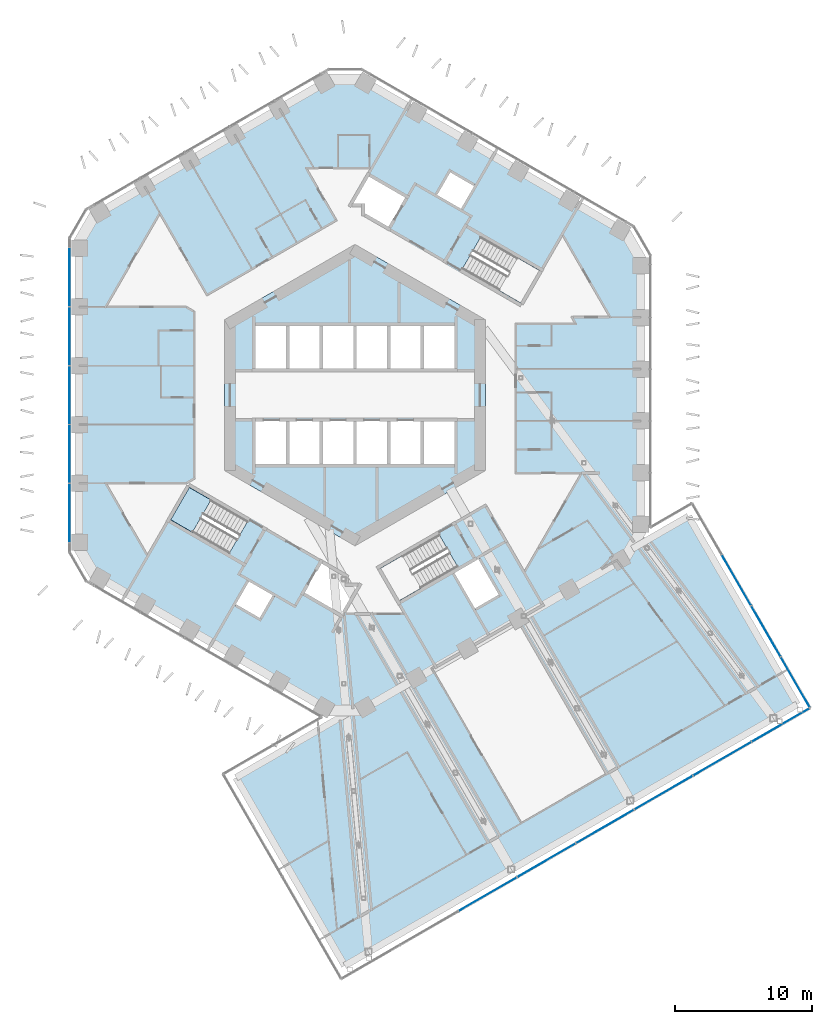
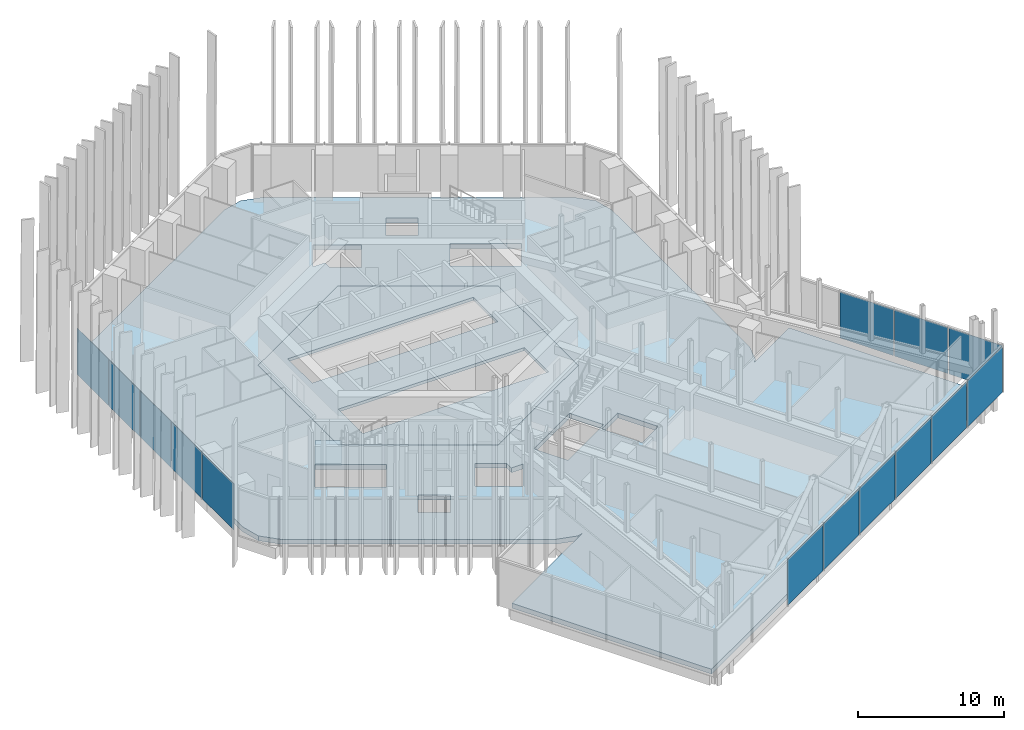
# One storey, part 15 of 29: 14 plates, 3 slabs, 4 elements without a shape of their own.
"""IFC4 building model written with IfcOpenShell, lengths in metres."""

from ifc_helpers import new_model, si_unit, direction, frame, origin, origin_2d, place, context, subcontext, project, spatial, polyline, rectangle, outline, extrude, material, layer, layer_set, type_object, element, aggregate, save


model = new_model("IFC4")

# Units and contexts
model_context = context("Model", 3, precision=1e-05, world=origin(), true_north=direction((0.0, 1.0)))
body_context = subcontext(model_context, "Body", "Model", "MODEL_VIEW")
ifc_project = project(units=[si_unit("LENGTHUNIT", "METRE"), si_unit("AREAUNIT", "SQUARE_METRE"), si_unit("VOLUMEUNIT", "CUBIC_METRE"), si_unit("PLANEANGLEUNIT", "RADIAN"), si_unit("MASSUNIT", "GRAM", prefix="KILO")], contexts=[model_context])

# Site, building, storey
site_placement = place(None, origin())
site = spatial("IfcSite", under=ifc_project, at=site_placement, CompositionType="ELEMENT")
building_placement = place(site_placement, origin())
building = spatial("IfcBuilding", under=site, at=building_placement, Name="Ayvan Gate Tower", CompositionType="ELEMENT")
storey_placement = place(building_placement, frame((0.0, 0.0, 66.300048828125)))
storey = spatial("IfcBuildingStorey", under=building, at=storey_placement, Name="L17", CompositionType="ELEMENT", Elevation=66.300048828125)

# Slabs
ifc_material_1 = material(Name="Concrete C40/50", Category="concrete")
ifc_layer_1 = layer(ifc_material_1, 0.39990234375)
ifc_layer_set_1 = layer_set([ifc_layer_1], Name="Concrete C40/50")
slab_type_1 = type_object("IfcSlabType", Name="Post-tensioned flat slab 400", PredefinedType="FLOOR", material=ifc_layer_set_1)
slab_1_placement = place(storey_placement, frame((0.0, 0.0, -0.400146484375)))
element("IfcSlab", 1, at=slab_1_placement, inside=storey, type_object=slab_type_1, Name="SL-L17", PredefinedType="FLOOR", context=body_context, shape_type="SweptSolid", body=[
    extrude(outline(polyline([(-20.072509765625, -10.67919921875), (-20.072509765625, 10.67919921875), (-19.67041015625, 12.17919921875), (-18.572509765625, 13.277099609375), (-2.212158203125, 22.722900390625), (-0.712158203125, 23.124755859375), (0.787841796875, 22.722900390625), (19.28466796875, 12.043701171875), (20.382568359375, 10.945556640625), (20.78466796875, 9.445556640625), (20.78466796875, -9.445556640625), (20.382568359375, -10.945556640625), (20.104248046875, -11.22412109375), (24.26220703125, -8.823486328125), (32.162353515625, -22.506591796875), (-0.746826171875, -41.506591796875), (-8.646728515625, -27.823486328125), (-0.331787109375, -23.022705078125), (-0.712158203125, -23.124755859375), (-2.212158203125, -22.722900390625), (-18.572509765625, -13.277099609375), (-19.67041015625, -12.17919921875), (-20.072509765625, -10.67919921875)]), holes=[polyline([(7.80615234375, 9.170654296875), (12.049560546875, 6.720458984375), (13.404541015625, 9.0673828125), (9.1611328125, 11.517578125), (7.80615234375, 9.170654296875)]), polyline([(8.113525390625, -14.65283203125), (8.690185546875, -15.65185546875), (10.595458984375, -14.5517578125), (8.995361328125, -11.780517578125), (8.735595703125, -11.9306640625), (7.090087890625, -12.880615234375), (8.113525390625, -14.65283203125)]), polyline([(-9.5, -5.48486328125), (0.0, -10.9697265625), (9.5, -5.48486328125), (9.5, 5.48486328125), (0.0, 10.9697265625), (-9.5, 5.48486328125), (-9.5, -5.48486328125)]), polyline([(5.8447265625, 14.5234375), (7.75, 13.42333984375), (8.800048828125, 15.241943359375), (6.894775390625, 16.342041015625), (5.8447265625, 14.5234375)]), polyline([(6.117431640625, -10.1455078125), (1.873779296875, -12.595458984375), (3.228759765625, -14.9423828125), (7.472412109375, -12.492431640625), (6.117431640625, -10.1455078125)]), polyline([(0.964599609375, 16.07080078125), (-0.340576171875, 13.81005859375), (0.60009765625, 13.81005859375), (0.60009765625, 13.16357421875), (2.472412109375, 12.08251953125), (3.822509765625, 14.420654296875), (0.964599609375, 16.07080078125)]), polyline([(-0.60009765625, -13.16357421875), (-2.472412109375, -12.08251953125), (-3.822509765625, -14.420654296875), (-0.964599609375, -16.07080078125), (-0.88037109375, -15.9248046875), (0.340576171875, -13.81005859375), (-0.60009765625, -13.81005859375), (-0.60009765625, -13.16357421875)]), polyline([(-8.800048828125, -15.241943359375), (-6.894775390625, -16.342041015625), (-5.8447265625, -14.5234375), (-7.75, -13.42333984375), (-8.800048828125, -15.241943359375)]), polyline([(-13.404541015625, -9.0673828125), (-9.1611328125, -11.517578125), (-7.80615234375, -9.170654296875), (-12.049560546875, -6.720458984375), (-13.404541015625, -9.0673828125)])]), origin(), (0.0, 0.0, 1.0), 0.400146484375),
])
ifc_layer_2 = layer(ifc_material_1, 0.25)
ifc_layer_set_2 = layer_set([ifc_layer_2], Name="Concrete C40/50")
slab_type_2 = type_object("IfcSlabType", Name="SL-CORE-250", PredefinedType="FLOOR", material=ifc_layer_set_2)
slab_2_placement = place(storey_placement, frame((0.0, 0.0, -0.25)))
element("IfcSlab", 2, at=slab_2_placement, inside=storey, type_object=slab_type_2, Name="CS-L17", PredefinedType="FLOOR", context=body_context, shape_type="SweptSolid", body=[
    extrude(outline(polyline([(9.5, -5.48486328125), (0.0, -10.9697265625), (-9.5, -5.48486328125), (-9.5, 5.48486328125), (0.0, 10.9697265625), (9.5, 5.48486328125), (9.5, -5.48486328125)]), holes=[polyline([(-7.35009765625, -1.800048828125), (-7.35009765625, -5.14990234375), (7.35009765625, -5.14990234375), (7.35009765625, -1.800048828125), (-7.35009765625, -1.800048828125)]), polyline([(-7.35009765625, 5.14990234375), (-7.35009765625, 1.800048828125), (7.35009765625, 1.800048828125), (7.35009765625, 5.14990234375), (-7.35009765625, 5.14990234375)])]), origin(), (0.0, 0.0, 1.0), 0.25),
])

# Stair, slab
stair_type = type_object("IfcStairType", Name="ST-EXIT", PredefinedType="HALF_TURN_STAIR", material=ifc_material_1)
stair_placement = place(storey_placement, origin())
stair = element("IfcStair", 3, at=stair_placement, inside=storey, type_object=stair_type, Name="L17 Exit Stair S2", PredefinedType="HALF_TURN_STAIR")
ifc_layer_3 = layer(ifc_material_1, 0.199951171875)
ifc_layer_set_3 = layer_set([ifc_layer_3], Name="Concrete C40/50")
slab_type_3 = type_object("IfcSlabType", Name="SL-LANDING-200", PredefinedType="LANDING", material=ifc_layer_set_3)
slab_3_placement = place(storey_placement, frame((0.0, 0.0, 1.800048828125)))
slab_3 = element("IfcSlab", 4, at=slab_3_placement, type_object=slab_type_3, Name="STS2 landing 1", PredefinedType="LANDING", context=body_context, shape_type="SweptSolid", body=[
    extrude(outline(polyline([(-10.473388671875, -7.630615234375), (-12.049560546875, -6.720458984375), (-13.404541015625, -9.0673828125), (-11.828369140625, -9.9775390625), (-10.473388671875, -7.630615234375)])), origin(), (0.0, 0.0, 1.0), 0.199951171875),
])
aggregate(stair, [slab_3])

# Curtain wall, plates
ifc_material_2 = material(Name="Bronze anodised aluminium", Category="aluminium")
ifc_layer_4 = layer(ifc_material_2, 0.199951171875)
ifc_layer_set_4 = layer_set([ifc_layer_4], Name="Bronze anodised aluminium")
curtain_wall_type_1 = type_object("IfcCurtainWallType", Name="Stick curtain wall CW-1", PredefinedType="NOTDEFINED", material=ifc_layer_set_4)
curtain_wall_1_placement = place(storey_placement, origin())
curtain_wall_1 = element("IfcCurtainWall", 5, at=curtain_wall_1_placement, inside=storey, type_object=curtain_wall_type_1, Name="Stick curtain wall CW-1 L17", PredefinedType="NOTDEFINED")
ifc_material_3 = material(Name="Clear low-iron laminated glass", Category="glass")
ifc_layer_5 = layer(ifc_material_3, 0.028076171875)
ifc_layer_set_5 = layer_set([ifc_layer_5], Name="Clear low-iron laminated glass")
plate_type_1 = type_object("IfcPlateType", Name="Stick curtain wall CW-1 glass panel", PredefinedType="CURTAIN_PANEL", material=ifc_layer_set_5)
plate_1_placement = place(storey_placement, frame((-20.7724609375, 8.59521484375, 0.0), z_axis=(0.0, 0.0, 1.0), x_axis=(0.0, -1.0, 0.0)))
plate_1 = element("IfcPlate", 6, at=plate_1_placement, type_object=plate_type_1, Name="CW-1 glass panel 1", PredefinedType="CURTAIN_PANEL", context=body_context, shape_type="SweptSolid", body=[
    extrude(rectangle(XDim=4.2919921875, YDim=0.028076171875, at=origin_2d()), origin(), (0.0, 0.0, 1.0), 3.8798828125),
])
plate_2_placement = place(storey_placement, frame((-20.7724609375, 4.27978515625, 0.0), z_axis=(0.0, 0.0, 1.0), x_axis=(0.0, -1.0, 0.0)))
plate_2 = element("IfcPlate", 7, at=plate_2_placement, type_object=plate_type_1, Name="CW-1 glass panel 2", PredefinedType="CURTAIN_PANEL", context=body_context, shape_type="SweptSolid", body=[
    extrude(rectangle(XDim=4.218994140625, YDim=0.028076171875, at=origin_2d()), origin(), (0.0, 0.0, 1.0), 3.8798828125),
])
plate_3_placement = place(storey_placement, frame((-20.7724609375, 0.000244140625, 0.0), z_axis=(0.0, 0.0, 1.0), x_axis=(0.0, -1.0, 0.0)))
plate_3 = element("IfcPlate", 8, at=plate_3_placement, type_object=plate_type_1, Name="CW-1 glass panel 3", PredefinedType="CURTAIN_PANEL", context=body_context, shape_type="SweptSolid", body=[
    extrude(rectangle(XDim=4.219970703125, YDim=0.028076171875, at=origin_2d()), origin(), (0.0, 0.0, 1.0), 3.8798828125),
])
plate_4_placement = place(storey_placement, frame((-20.7724609375, -4.27978515625, 0.0), z_axis=(0.0, 0.0, 1.0), x_axis=(0.0, -1.0, 0.0)))
plate_4 = element("IfcPlate", 9, at=plate_4_placement, type_object=plate_type_1, Name="CW-1 glass panel 4", PredefinedType="CURTAIN_PANEL", context=body_context, shape_type="SweptSolid", body=[
    extrude(rectangle(XDim=4.219970703125, YDim=0.028076171875, at=origin_2d()), origin(), (0.0, 0.0, 1.0), 3.8798828125),
])
plate_5_placement = place(storey_placement, frame((-20.7724609375, -8.595458984375, 0.0), z_axis=(0.0, 0.0, 1.0), x_axis=(0.0, -1.0, 0.0)))
plate_5 = element("IfcPlate", 10, at=plate_5_placement, type_object=plate_type_1, Name="CW-1 glass panel 5", PredefinedType="CURTAIN_PANEL", context=body_context, shape_type="SweptSolid", body=[
    extrude(rectangle(XDim=4.29150390625, YDim=0.028076171875, at=origin_2d()), origin(), (0.0, 0.0, 1.0), 3.8798828125),
])
aggregate(curtain_wall_1, [plate_1, plate_2, plate_3, plate_4, plate_5])

ifc_layer_6 = layer(ifc_material_2, 0.199951171875)
ifc_layer_set_6 = layer_set([ifc_layer_6], Name="Bronze anodised aluminium")
curtain_wall_type_2 = type_object("IfcCurtainWallType", Name="Stick curtain wall CW-4", PredefinedType="NOTDEFINED", material=ifc_layer_set_6)
curtain_wall_2_placement = place(storey_placement, origin())
curtain_wall_2 = element("IfcCurtainWall", 11, at=curtain_wall_2_placement, inside=storey, type_object=curtain_wall_type_2, Name="Stick curtain wall CW-4 L17", PredefinedType="NOTDEFINED")
ifc_material_4 = material(Name="Pale anodised aluminium composite panel", Category="aluminium")
ifc_layer_7 = layer(ifc_material_4, 0.028076171875)
ifc_layer_set_7 = layer_set([ifc_layer_7], Name="Pale anodised aluminium composite panel")
plate_type_2 = type_object("IfcPlateType", Name="Stick curtain wall CW-4 solid panel", PredefinedType="CURTAIN_PANEL", material=ifc_layer_set_7)
plate_6_placement = place(storey_placement, frame((9.659912109375, -36.306640625, 0.0), z_axis=(0.0, 0.0, 1.0), x_axis=(0.866025403784, 0.5, 0.0)))
plate_6 = element("IfcPlate", 12, at=plate_6_placement, type_object=plate_type_2, Name="CW-4 solid panel 3", PredefinedType="CURTAIN_PANEL", context=body_context, shape_type="SweptSolid", body=[
    extrude(rectangle(XDim=4.844970703125, YDim=0.028076171875, at=origin_2d()), origin(), (0.0, 0.0, 1.0), 3.860107421875),
])
plate_7_placement = place(storey_placement, frame((13.92529296875, -33.843994140625, 0.0), z_axis=(0.0, 0.0, 1.0), x_axis=(0.866025403784, 0.5, 0.0)))
plate_7 = element("IfcPlate", 13, at=plate_7_placement, type_object=plate_type_2, Name="CW-4 solid panel 4", PredefinedType="CURTAIN_PANEL", context=body_context, shape_type="SweptSolid", body=[
    extrude(rectangle(XDim=4.844970703125, YDim=0.028076171875, at=origin_2d()), origin(), (0.0, 0.0, 1.0), 3.860107421875),
])
plate_8_placement = place(storey_placement, frame((18.1904296875, -31.381591796875, 0.0), z_axis=(0.0, 0.0, 1.0), x_axis=(0.866025403784, 0.5, 0.0)))
plate_8 = element("IfcPlate", 14, at=plate_8_placement, type_object=plate_type_2, Name="CW-4 solid panel 5", PredefinedType="CURTAIN_PANEL", context=body_context, shape_type="SweptSolid", body=[
    extrude(rectangle(XDim=4.844970703125, YDim=0.028076171875, at=origin_2d()), origin(), (0.0, 0.0, 1.0), 3.860107421875),
])
plate_9_placement = place(storey_placement, frame((22.45556640625, -28.919189453125, 0.0), z_axis=(0.0, 0.0, 1.0), x_axis=(0.866025403784, 0.5, 0.0)))
plate_9 = element("IfcPlate", 15, at=plate_9_placement, type_object=plate_type_2, Name="CW-4 solid panel 6", PredefinedType="CURTAIN_PANEL", context=body_context, shape_type="SweptSolid", body=[
    extrude(rectangle(XDim=4.844970703125, YDim=0.028076171875, at=origin_2d()), origin(), (0.0, 0.0, 1.0), 3.860107421875),
])
plate_10_placement = place(storey_placement, frame((26.720703125, -26.45654296875, 0.0), z_axis=(0.0, 0.0, 1.0), x_axis=(0.866025403784, 0.5, 0.0)))
plate_10 = element("IfcPlate", 16, at=plate_10_placement, type_object=plate_type_2, Name="CW-4 solid panel 7", PredefinedType="CURTAIN_PANEL", context=body_context, shape_type="SweptSolid", body=[
    extrude(rectangle(XDim=4.844970703125, YDim=0.028076171875, at=origin_2d()), origin(), (0.0, 0.0, 1.0), 3.860107421875),
])
plate_11_placement = place(storey_placement, frame((30.98583984375, -23.994140625, 0.0), z_axis=(0.0, 0.0, 1.0), x_axis=(0.866025403784, 0.5, 0.0)))
plate_11 = element("IfcPlate", 17, at=plate_11_placement, type_object=plate_type_2, Name="CW-4 solid panel 8", PredefinedType="CURTAIN_PANEL", context=body_context, shape_type="SweptSolid", body=[
    extrude(rectangle(XDim=4.844970703125, YDim=0.028076171875, at=origin_2d()), origin(), (0.0, 0.0, 1.0), 3.860107421875),
])
aggregate(curtain_wall_2, [plate_6, plate_7, plate_8, plate_9, plate_10, plate_11])

curtain_wall_3_placement = place(storey_placement, origin())
curtain_wall_3 = element("IfcCurtainWall", 18, at=curtain_wall_3_placement, inside=storey, type_object=curtain_wall_type_2, Name="Stick curtain wall CW-4 L17", PredefinedType="NOTDEFINED")
plate_12_placement = place(storey_placement, frame((32.04345703125, -20.90087890625, 0.0), z_axis=(0.0, 0.0, 1.0), x_axis=(-0.5, 0.866025403784, 0.0)))
plate_12 = element("IfcPlate", 19, at=plate_12_placement, type_object=plate_type_2, Name="CW-4 solid panel 1", PredefinedType="CURTAIN_PANEL", context=body_context, shape_type="SweptSolid", body=[
    extrude(rectangle(XDim=4.219970703125, YDim=0.028076171875, at=origin_2d()), origin(), (0.0, 0.0, 1.0), 3.860107421875),
])
plate_13_placement = place(storey_placement, frame((29.8935546875, -17.177001953125, 0.0), z_axis=(0.0, 0.0, 1.0), x_axis=(-0.5, 0.866025403784, 0.0)))
plate_13 = element("IfcPlate", 20, at=plate_13_placement, type_object=plate_type_2, Name="CW-4 solid panel 2", PredefinedType="CURTAIN_PANEL", context=body_context, shape_type="SweptSolid", body=[
    extrude(rectangle(XDim=4.219970703125, YDim=0.028076171875, at=origin_2d()), origin(), (0.0, 0.0, 1.0), 3.860107421875),
])
plate_14_placement = place(storey_placement, frame((27.743408203125, -13.453125, 0.0), z_axis=(0.0, 0.0, 1.0), x_axis=(-0.5, 0.866025403784, 0.0)))
plate_14 = element("IfcPlate", 21, at=plate_14_placement, type_object=plate_type_2, Name="CW-4 solid panel 3", PredefinedType="CURTAIN_PANEL", context=body_context, shape_type="SweptSolid", body=[
    extrude(rectangle(XDim=4.219970703125, YDim=0.028076171875, at=origin_2d()), origin(), (0.0, 0.0, 1.0), 3.860107421875),
])
aggregate(curtain_wall_3, [plate_12, plate_13, plate_14])

save(model, "model.ifc")
